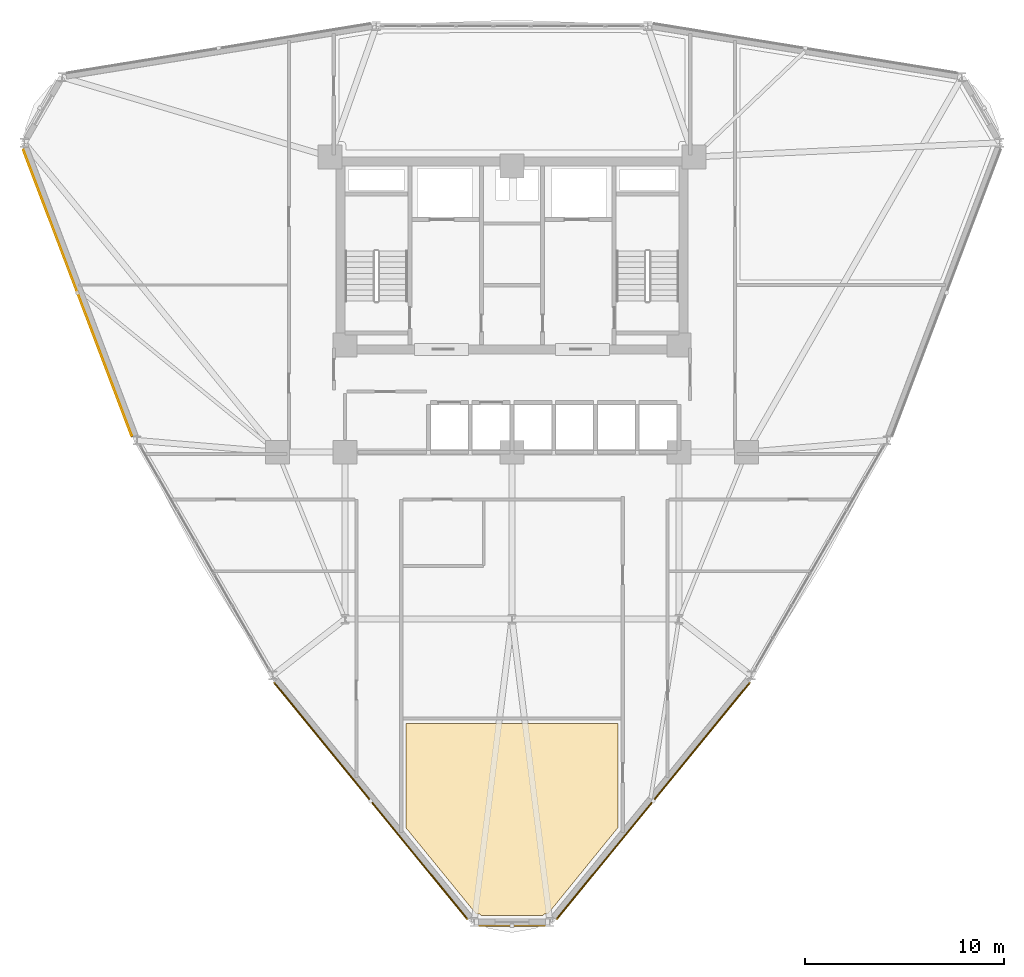
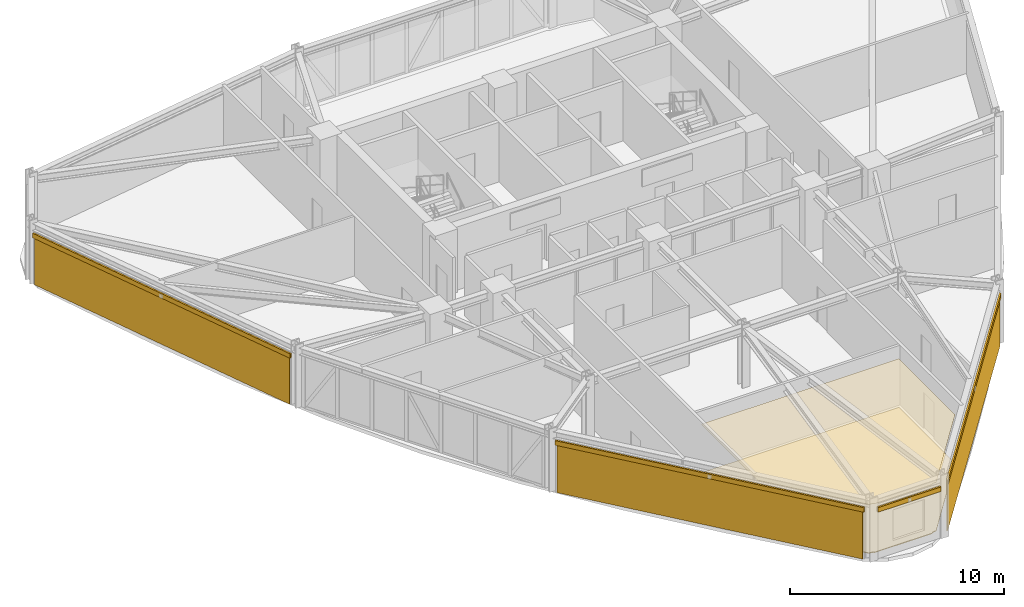
# One storey, part 14 of 17: 5 coverings, 4 shading devices.
"""IFC4 building model written with IfcOpenShell, lengths in metres."""

from ifc_helpers import new_model, si_unit, derived_unit, direction, frame, origin, origin_2d, place, context, subcontext, project, spatial, polyline, hollow_rectangle, outline, extrude, source, transform, mapped, material, layer, layer_set, material_profile, profile_set, type_object, element, save


model = new_model("IFC4")

# Units and contexts
model_context = context("Model", 3, precision=1e-05, world=origin(), true_north=direction((0.0, 1.0)))
body_context = subcontext(model_context, "Body", "Model", "MODEL_VIEW")
ifc_project = project(units=[si_unit("LENGTHUNIT", "METRE"), si_unit("AREAUNIT", "SQUARE_METRE"), si_unit("VOLUMEUNIT", "CUBIC_METRE"), si_unit("PLANEANGLEUNIT", "RADIAN"), si_unit("MASSUNIT", "GRAM", prefix="KILO"), derived_unit("THERMALTRANSMITTANCEUNIT", [(si_unit("POWERUNIT", "WATT"), 1), (si_unit("LENGTHUNIT", "METRE"), -2), (si_unit("THERMODYNAMICTEMPERATUREUNIT", "KELVIN"), -1)])], contexts=[model_context])

# Site, building, storey
site_placement = place(None, origin())
site = spatial("IfcSite", under=ifc_project, at=site_placement, CompositionType="ELEMENT")
building_placement = place(site_placement, origin())
building = spatial("IfcBuilding", under=site, at=building_placement, Name="Korsvarv Bourse and Concert Hall", CompositionType="ELEMENT")
storey_placement = place(building_placement, frame((0.0, 0.0, 120.60009765625)))
storey = spatial("IfcBuildingStorey", under=building, at=storey_placement, Name="L30", CompositionType="ELEMENT", Elevation=120.60009765625)

# Coverings
ifc_material_1 = material(Name="Perforated mineral-wool and birch acoustic baffle ceiling", Category="wood")
ifc_layer_1 = layer(ifc_material_1, 0.02490234375)
ifc_layer_set_1 = layer_set([ifc_layer_1], Name="Perforated mineral-wool and birch acoustic baffle ceiling")
covering_type_1 = type_object("IfcCoveringType", Name="COV-CEIL-1", PredefinedType="CEILING", material=ifc_layer_set_1)
covering_1_placement = place(storey_placement, frame((0.0, 0.0, 2.77978515625)))
element("IfcCovering", 1, at=covering_1_placement, inside=storey, type_object=covering_type_1, Name="L30 acoustic baffle ceiling 3", PredefinedType="CEILING", context=body_context, shape_type="SweptSolid", body=[
    extrude(outline(polyline([(30.665771484375, 13.502685546875), (30.67578125, 13.54833984375), (30.67919921875, 13.583740234375), (30.679931640625, 18.75), (41.320068359375, 18.75), (41.320068359375, 13.598388671875), (41.32373046875, 13.551513671875), (41.33056640625, 13.51708984375), (37.809814453125, 9.1806640625), (37.698974609375, 9.1806640625), (37.66455078125, 9.17724609375), (37.631591796875, 9.16748046875), (37.600830078125, 9.151611328125), (37.57373046875, 9.1298828125), (37.551513671875, 9.103515625), (34.451416015625, 9.10302734375), (34.428955078125, 9.126708984375), (34.401123046875, 9.146484375), (34.3701171875, 9.16064453125), (34.3369140625, 9.168701171875), (34.193359375, 9.176513671875), (30.665771484375, 13.502685546875)])), origin(), (0.0, 0.0, 1.0), 0.025146484375),
])
ifc_material_2 = material(Name="Warm iron-oxide extruded terracotta rainscreen tile", Category="ceramic")
ifc_layer_2 = layer(ifc_material_2, 0.044921875)
ifc_layer_set_2 = layer_set([ifc_layer_2], Name="Warm iron-oxide extruded terracotta rainscreen tile")
covering_type_2 = type_object("IfcCoveringType", Name="COV-CLD-TC", PredefinedType="CLADDING", material=ifc_layer_set_2)
covering_2_placement = place(storey_placement, origin())
element("IfcCovering", 2, at=covering_2_placement, inside=storey, type_object=covering_type_2, Name="L30 fluted terracotta cladding panel EW-L30-B06", PredefinedType="CLADDING", context=body_context, shape_type="SweptSolid", body=[
    extrude(outline(polyline([(11.448486328125, 47.61083984375), (16.892822265625, 33.2509765625), (16.850830078125, 33.235107421875), (11.406494140625, 47.594970703125), (11.448486328125, 47.61083984375)])), origin(), (0.0, 0.0, 1.0), 2.6298828125),
])
covering_3_placement = place(storey_placement, origin())
element("IfcCovering", 3, at=covering_3_placement, inside=storey, type_object=covering_type_2, Name="L30 fluted terracotta cladding panel EW-L30-B08", PredefinedType="CLADDING", context=body_context, shape_type="SweptSolid", body=[
    extrude(outline(polyline([(24.098388671875, 20.787353515625), (33.746826171875, 8.97216796875), (33.712158203125, 8.943603515625), (24.063720703125, 20.759033203125), (24.098388671875, 20.787353515625)])), origin(), (0.0, 0.0, 1.0), 2.679931640625),
])
covering_4_placement = place(storey_placement, origin())
element("IfcCovering", 4, at=covering_4_placement, inside=storey, type_object=covering_type_2, Name="L30 fluted terracotta cladding panel EW-L30-B10", PredefinedType="CLADDING", context=body_context, shape_type="SweptSolid", body=[
    extrude(outline(polyline([(38.253173828125, 8.97216796875), (47.901611328125, 20.787353515625), (47.936279296875, 20.759033203125), (38.287841796875, 8.943603515625), (38.253173828125, 8.97216796875)])), origin(), (0.0, 0.0, 1.0), 2.679931640625),
])
ifc_material_3 = material(Name="Calcium-sulphate raised access trading floor with Nordic oak top", Category="wood")
ifc_layer_3 = layer(ifc_material_3, 0.0400390625)
ifc_layer_set_3 = layer_set([ifc_layer_3], Name="Calcium-sulphate raised access trading floor with Nordic oak top")
covering_type_3 = type_object("IfcCoveringType", Name="COV-FLOR-1", PredefinedType="FLOORING", material=ifc_layer_set_3)
covering_5_placement = place(storey_placement, origin())
element("IfcCovering", 5, at=covering_5_placement, inside=storey, type_object=covering_type_3, Name="L30 raised access oak floor finish 3", PredefinedType="FLOORING", context=body_context, shape_type="SweptSolid", body=[
    extrude(outline(polyline([(30.665771484375, 13.502685546875), (30.67578125, 13.54833984375), (30.67919921875, 13.583740234375), (30.679931640625, 18.75), (41.320068359375, 18.75), (41.320068359375, 13.598388671875), (41.32373046875, 13.551513671875), (41.33056640625, 13.51708984375), (37.809814453125, 9.1806640625), (37.698974609375, 9.1806640625), (37.66455078125, 9.17724609375), (37.631591796875, 9.16748046875), (37.600830078125, 9.151611328125), (37.57373046875, 9.1298828125), (37.551513671875, 9.103515625), (34.451416015625, 9.10302734375), (34.428955078125, 9.126708984375), (34.401123046875, 9.146484375), (34.3701171875, 9.16064453125), (34.3369140625, 9.168701171875), (34.193359375, 9.176513671875), (30.665771484375, 13.502685546875)])), origin(), (0.0, 0.0, 1.0), 0.039794921875),
])

# Shading devices
ifc_material_4 = material(Name="Glazed extruded architectural terracotta", Category="ceramic")
ifc_material_profile = material_profile(ifc_material_4, hollow_rectangle(XDim=0.090087890625, YDim=0.260009765625, WallThickness=0.011962890625, at=origin_2d()), Name="TC-BAG 90x260")
ifc_profile_set = profile_set([ifc_material_profile], Name="Glazed extruded architectural terracotta")
shading_device_type = type_object("IfcShadingDeviceType", Name="SHD-BAG-1", PredefinedType="USERDEFINED", material=ifc_profile_set)
shared_shape_1 = source(origin(), body_context, "Body", "SweptSolid", [
    extrude(hollow_rectangle(XDim=0.090087890625, YDim=0.260009765625, WallThickness=0.011962890625, at=origin_2d()), origin(), (0.0, 0.0, 1.0), 15.517333984375),
])
shading_device_1_placement = place(storey_placement, frame((11.3828125, 47.671630859375, 2.789794921875), z_axis=(0.354505776015, -0.935053824532, 0.0), x_axis=(0.935053824532, 0.354505776015, 0.0)))
element("IfcShadingDevice", 6, at=shading_device_1_placement, inside=storey, type_object=shading_device_type, Name="L30 terracotta baguette sunshade EW-L30-B06", ObjectType="BAGUETTE", PredefinedType="USERDEFINED", context=body_context, shape_type="MappedRepresentation", body=[
    mapped(shared_shape_1, transform((0.0, 0.0, 0.0), scale=1.0)),
])
shared_shape_2 = source(origin(), body_context, "Body", "SweptSolid", [
    extrude(hollow_rectangle(XDim=0.090087890625, YDim=0.260009765625, WallThickness=0.011962890625, at=origin_2d()), origin(), (0.0, 0.0, 1.0), 15.414306640625),
])
for number, where, z_axis, x_axis, name in (
    (7, (24.016845703125, 20.82421875, 2.83984375), (0.632511291832, -0.774551138211, 0.0), (0.774551138211, 0.632511291832, 0.0), "L30 terracotta baguette sunshade EW-L30-B08"),
    (8, (38.2333984375, 8.885009765625, 2.83984375), (0.632511291832, 0.774551138211, 0.0), (-0.774551138211, 0.632511291832, 0.0), "L30 terracotta baguette sunshade EW-L30-B10"),
):
    element("IfcShadingDevice", number, at=place(storey_placement, frame(where, z_axis=z_axis, x_axis=x_axis)), inside=storey, type_object=shading_device_type, Name=name, ObjectType="BAGUETTE", PredefinedType="USERDEFINED", context=body_context, shape_type="MappedRepresentation", body=[
        mapped(shared_shape_2, transform((0.0, 0.0, 0.0), scale=1.0)),
    ])
shared_shape_3 = source(origin(), body_context, "Body", "SweptSolid", [
    extrude(hollow_rectangle(XDim=0.090087890625, YDim=0.260009765625, WallThickness=0.011962890625, at=origin_2d()), origin(), (0.0, 0.0, 1.0), 3.38818359375),
])
shading_device_2_placement = place(storey_placement, frame((34.305908203125, 8.578125, 2.83984375), z_axis=(1.0, 0.0, 0.0), x_axis=(0.0, 1.0, 0.0)))
element("IfcShadingDevice", 9, at=shading_device_2_placement, inside=storey, type_object=shading_device_type, Name="L30 terracotta baguette sunshade EW-L30-B09", ObjectType="BAGUETTE", PredefinedType="USERDEFINED", context=body_context, shape_type="MappedRepresentation", body=[
    mapped(shared_shape_3, transform((0.0, 0.0, 0.0), scale=1.0)),
])

save(model, "model.ifc")
